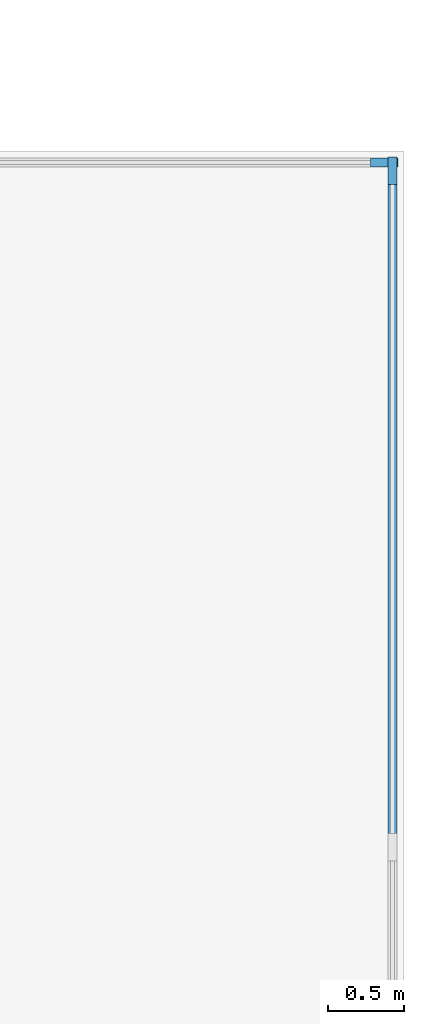
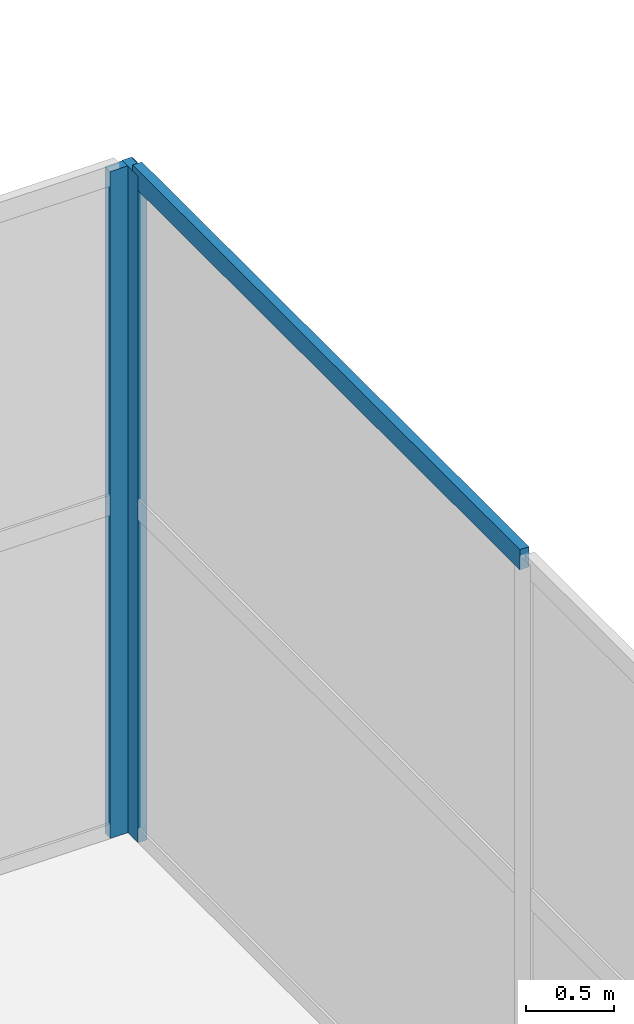
# One storey, part 3 of 8: 3 members, 2 elements without a shape of their own.
"""IFC4 building model written with IfcOpenShell, lengths in metres."""

from ifc_helpers import new_model, si_unit, direction, frame, origin, origin_2d, place, context, subcontext, project, spatial, rectangle, extrude, material, layer, layer_set, material_profile, profile_set, type_object, element, aggregate, save


model = new_model("IFC4")

# Units and contexts
model_context = context("Model", 3, precision=1e-05, world=origin(), true_north=direction((0.0, 1.0)))
body_context = subcontext(model_context, "Body", "Model", "MODEL_VIEW")
ifc_project = project(units=[si_unit("LENGTHUNIT", "METRE"), si_unit("AREAUNIT", "SQUARE_METRE"), si_unit("VOLUMEUNIT", "CUBIC_METRE"), si_unit("PLANEANGLEUNIT", "RADIAN"), si_unit("MASSUNIT", "GRAM", prefix="KILO")], contexts=[model_context])

# Site, building, storey
site_placement = place(None, origin())
site = spatial("IfcSite", under=ifc_project, at=site_placement, CompositionType="ELEMENT")
building_placement = place(site_placement, origin())
building = spatial("IfcBuilding", under=site, at=building_placement, Name="Chenar Terraces", CompositionType="ELEMENT")
storey_placement = place(building_placement, frame((0.0, 0.0, 383.89990234375)))
storey = spatial("IfcBuildingStorey", under=building, at=storey_placement, Name="L90", CompositionType="ELEMENT", Elevation=383.89990234375)

# Curtain wall, member
ifc_material_1 = material(Name="Aluminium framed glazing", Category="aluminium")
ifc_layer = layer(ifc_material_1, 0.14990234375)
ifc_layer_set = layer_set([ifc_layer], Name="Aluminium framed glazing")
curtain_wall_type = type_object("IfcCurtainWallType", Name="Crown curtain wall", PredefinedType="NOTDEFINED", material=ifc_layer_set)
placement = place(storey_placement, origin())
curtain_wall_1 = element("IfcCurtainWall", 1, at=placement, inside=storey, type_object=curtain_wall_type, Name="Crown curtain wall", PredefinedType="NOTDEFINED")
ifc_material_2 = material(Name="Aluminium", Category="aluminium")
ifc_material_profile_1 = material_profile(ifc_material_2, rectangle(XDim=0.06005859375, YDim=0.179931640625, at=origin_2d()), Name="Crown glazing mullion 60 x 180")
ifc_profile_set_1 = profile_set([ifc_material_profile_1], Name="Aluminium")
member_type_1 = type_object("IfcMemberType", Name="Crown glazing mullion 60 x 180", PredefinedType="MULLION", material=ifc_profile_set_1)
member_1_placement = place(storey_placement, frame((55.425048828125, 25.3701171875, 0.0), z_axis=(0.0, 0.0, 1.0), x_axis=(-1.0, 0.0, 0.0)))
member_1 = element("IfcMember", 2, at=member_1_placement, type_object=member_type_1, Name="CW4-01 mullion 7", PredefinedType="MULLION", context=body_context, shape_type="SweptSolid", body=[
    extrude(rectangle(XDim=0.06005859375, YDim=0.179931640625, at=origin_2d()), origin(), (0.0, 0.0, 1.0), 4.60009765625),
])

curtain_wall_2 = element("IfcCurtainWall", 3, at=placement, inside=storey, type_object=curtain_wall_type, Name="Crown curtain wall", PredefinedType="NOTDEFINED")
member_2_placement = place(storey_placement, frame((55.3701171875, 25.425048828125, 0.0), z_axis=(0.0, 0.0, 1.0), x_axis=(0.0, -1.0, 0.0)))
member_2 = element("IfcMember", 4, at=member_2_placement, type_object=member_type_1, Name="CW4-02 mullion 1", PredefinedType="MULLION", context=body_context, shape_type="SweptSolid", body=[
    extrude(rectangle(XDim=0.06005859375, YDim=0.179931640625, at=origin_2d()), origin(), (0.0, 0.0, 1.0), 4.60009765625),
])
aggregate(curtain_wall_2, [member_2])

# Member
ifc_material_3 = material(Name="Aluminium", Category="aluminium")
ifc_material_profile_2 = material_profile(ifc_material_3, rectangle(XDim=0.06005859375, YDim=0.139892578125, at=origin_2d()), Name="Crown glazing transom 60 x 140")
ifc_profile_set_2 = profile_set([ifc_material_profile_2], Name="Aluminium")
member_type_2 = type_object("IfcMemberType", Name="Crown glazing transom 60 x 140", PredefinedType="USERDEFINED", material=ifc_profile_set_2)
member_3_placement = place(storey_placement, frame((55.425048828125, 20.96337890625, 4.570068359375), z_axis=(0.0, 1.0, 0.0), x_axis=(-1.0, 0.0, 0.0)))
member_3 = element("IfcMember", 5, at=member_3_placement, type_object=member_type_2, Name="CW4-01 transom 6.3", ObjectType="TRANSOM", PredefinedType="USERDEFINED", context=body_context, shape_type="SweptSolid", body=[
    extrude(rectangle(XDim=0.06005859375, YDim=0.139892578125, at=origin_2d()), origin(), (0.0, 0.0, 1.0), 4.376708984375),
])

aggregate(curtain_wall_1, [member_1, member_3])

save(model, "model.ifc")
